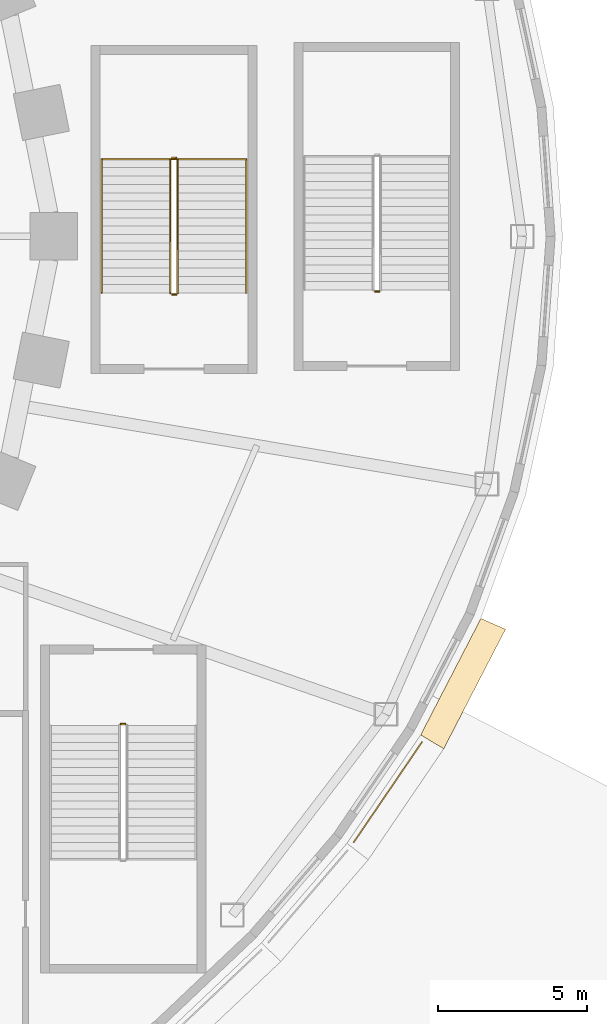
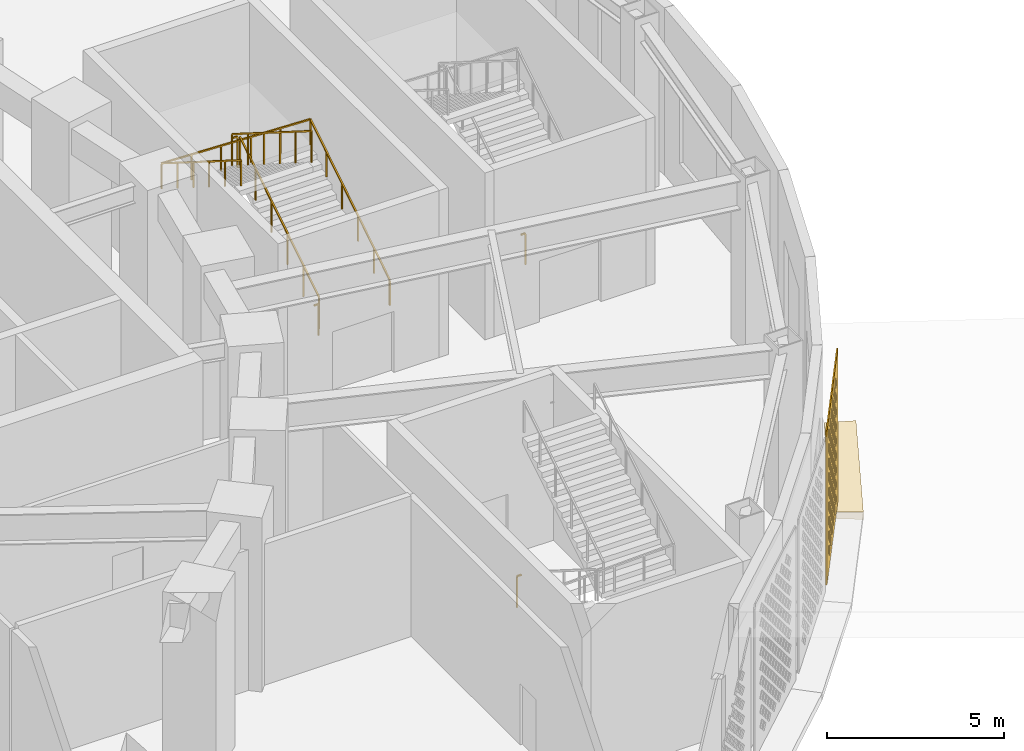
# One storey, part 71 of 74: 7 railings, 2 coverings.
"""IFC4 building model written with IfcOpenShell, lengths in metres."""

from ifc_helpers import new_model, si_unit, direction, frame, origin, origin_2d, place, context, subcontext, project, spatial, polyline, rectangle, outline, extrude, material, layer, layer_set, type_object, element, save


model = new_model("IFC4")

# Units and contexts
model_context = context("Model", 3, precision=1e-05, world=origin(), true_north=direction((0.0, 1.0)))
body_context = subcontext(model_context, "Body", "Model", "MODEL_VIEW")
ifc_project = project(units=[si_unit("LENGTHUNIT", "METRE"), si_unit("AREAUNIT", "SQUARE_METRE"), si_unit("VOLUMEUNIT", "CUBIC_METRE"), si_unit("PLANEANGLEUNIT", "RADIAN"), si_unit("MASSUNIT", "GRAM", prefix="KILO")], contexts=[model_context])

# Site, building, storey
site_placement = place(None, origin())
site = spatial("IfcSite", under=ifc_project, at=site_placement, CompositionType="ELEMENT")
building_placement = place(site_placement, origin())
building = spatial("IfcBuilding", under=site, at=building_placement, Name="Noorbagh Ring Tower", CompositionType="ELEMENT")
storey_placement = place(building_placement, frame((0.0, 0.0, 7.5)))
storey = spatial("IfcBuildingStorey", under=building, at=storey_placement, Name="L01", CompositionType="ELEMENT", Elevation=7.5)

# Railings
ifc_material_1 = material(Name="Stainless steel", Category="steel")
railing_type_1 = type_object("IfcRailingType", Name="GND-STAIR-GUARD", PredefinedType="GUARDRAIL", material=ifc_material_1)
railing_1_placement = place(storey_placement, frame((39.10009765625, -1.89990234375, 0.176513671875)))
element("IfcRailing", 1, at=railing_1_placement, inside=storey, type_object=railing_type_1, Name="L01 ST-P2 stair guard", PredefinedType="GUARDRAIL", context=body_context, shape_type="SweptSolid", body=[
    extrude(rectangle(XDim=0.048095703125, YDim=0.048095703125, at=origin_2d()), frame((0.0, 0.0, 1.076171875), z_axis=(0.0, 0.845997938375, 0.533186166611), x_axis=(-1.0, 0.0, 0.0)), (0.0, 0.0, 1.0), 5.29541015625),
    extrude(rectangle(XDim=0.0419921875, YDim=0.0419921875, at=origin_2d()), origin(), (0.0, 0.0, 1.0), 1.052001953125),
    extrude(rectangle(XDim=0.0419921875, YDim=0.0419921875, at=origin_2d()), frame((0.0, 0.89599609375, 0.564697265625)), (0.0, 0.0, 1.0), 1.052001953125),
    extrude(rectangle(XDim=0.0419921875, YDim=0.0419921875, at=origin_2d()), frame((0.0, 1.7919921875, 1.12939453125)), (0.0, 0.0, 1.0), 1.052001953125),
    extrude(rectangle(XDim=0.0419921875, YDim=0.0419921875, at=origin_2d()), frame((0.0, 2.68798828125, 1.694091796875)), (0.0, 0.0, 1.0), 1.052001953125),
    extrude(rectangle(XDim=0.0419921875, YDim=0.0419921875, at=origin_2d()), frame((0.0, 3.583984375, 2.2587890625)), (0.0, 0.0, 1.0), 1.052001953125),
    extrude(rectangle(XDim=0.0419921875, YDim=0.0419921875, at=origin_2d()), frame((0.0, 4.47998046875, 2.823486328125)), (0.0, 0.0, 1.0), 1.052001953125),
])
railing_2_placement = place(storey_placement, frame((39.050048828125, 2.6298828125, 3.0)))
element("IfcRailing", 2, at=railing_2_placement, inside=storey, type_object=railing_type_1, Name="L01 ST-P2 stair guard", PredefinedType="GUARDRAIL", context=body_context, shape_type="SweptSolid", body=[
    extrude(rectangle(XDim=0.048095703125, YDim=0.048095703125, at=origin_2d()), frame((0.0, 0.0, 1.076171875), z_axis=(-1.0, 0.0, 0.0), x_axis=(0.0, -1.0, 0.0)), (0.0, 0.0, 1.0), 0.150146484375),
    extrude(rectangle(XDim=0.0419921875, YDim=0.0419921875, at=origin_2d()), origin(), (0.0, 0.0, 1.0), 1.052001953125),
])
railing_3_placement = place(storey_placement, frame((38.85009765625, 2.580078125, 3.176513671875)))
element("IfcRailing", 3, at=railing_3_placement, inside=storey, type_object=railing_type_1, Name="L01 ST-P2 stair guard", PredefinedType="GUARDRAIL", context=body_context, shape_type="SweptSolid", body=[
    extrude(rectangle(XDim=0.048095703125, YDim=0.048095703125, at=origin_2d()), frame((0.0, 0.0, 1.076171875), z_axis=(0.0, -0.845997938375, 0.533186166611), x_axis=(1.0, 0.0, 0.0)), (0.0, 0.0, 1.0), 5.29541015625),
    extrude(rectangle(XDim=0.0419921875, YDim=0.0419921875, at=origin_2d()), origin(), (0.0, 0.0, 1.0), 1.052001953125),
    extrude(rectangle(XDim=0.0419921875, YDim=0.0419921875, at=origin_2d()), frame((0.0, -0.89599609375, 0.564697265625)), (0.0, 0.0, 1.0), 1.052001953125),
    extrude(rectangle(XDim=0.0419921875, YDim=0.0419921875, at=origin_2d()), frame((0.0, -1.7919921875, 1.12939453125)), (0.0, 0.0, 1.0), 1.052001953125),
    extrude(rectangle(XDim=0.0419921875, YDim=0.0419921875, at=origin_2d()), frame((0.0, -2.68798828125, 1.694091796875)), (0.0, 0.0, 1.0), 1.052001953125),
    extrude(rectangle(XDim=0.0419921875, YDim=0.0419921875, at=origin_2d()), frame((0.0, -3.583984375, 2.2587890625)), (0.0, 0.0, 1.0), 1.052001953125),
    extrude(rectangle(XDim=0.0419921875, YDim=0.0419921875, at=origin_2d()), frame((0.0, -4.47998046875, 2.823486328125)), (0.0, 0.0, 1.0), 1.052001953125),
])
for number, where, name in (
    (4, (39.050048828125, -1.949951171875, 0.0), "L01 ST-P2 stair guard"),
    (5, (45.85009765625, -1.85009765625, 0.0), "L01 ST-P4 stair guard"),
):
    element("IfcRailing", number, at=place(storey_placement, frame(where)), inside=storey, type_object=railing_type_1, Name=name, PredefinedType="GUARDRAIL", context=body_context, shape_type="SweptSolid", body=[
        extrude(rectangle(XDim=0.048095703125, YDim=0.048095703125, at=origin_2d()), frame((0.0, 0.0, 1.076171875), z_axis=(-1.0, 0.0, 0.0), x_axis=(0.0, -1.0, 0.0)), (0.0, 0.0, 1.0), 0.150146484375),
        extrude(rectangle(XDim=0.0419921875, YDim=0.0419921875, at=origin_2d()), origin(), (0.0, 0.0, 1.0), 1.052001953125),
    ])
railing_4_placement = place(storey_placement, frame((37.199951171875, -16.35009765625, 0.0)))
element("IfcRailing", 6, at=railing_4_placement, inside=storey, type_object=railing_type_1, Name="L01 ST-P6 stair guard", PredefinedType="GUARDRAIL", context=body_context, shape_type="SweptSolid", body=[
    extrude(rectangle(XDim=0.048095703125, YDim=0.048095703125, at=origin_2d()), frame((0.0, 0.0, 1.076171875), z_axis=(1.0, 0.0, 0.0), x_axis=(0.0, 1.0, 0.0)), (0.0, 0.0, 1.0), 0.150146484375),
    extrude(rectangle(XDim=0.0419921875, YDim=0.0419921875, at=origin_2d()), origin(), (0.0, 0.0, 1.0), 1.052001953125),
])
ifc_material_2 = material(Name="Stainless steel", Category="steel")
railing_type_2 = type_object("IfcRailingType", Name="GND-STAIR-HANDRAIL", PredefinedType="HANDRAIL", material=ifc_material_2)
railing_5_placement = place(storey_placement, frame((41.39990234375, -1.89990234375, 0.176513671875)))
element("IfcRailing", 7, at=railing_5_placement, inside=storey, type_object=railing_type_2, Name="L01 ST-P2 stair handrail", PredefinedType="HANDRAIL", context=body_context, shape_type="SweptSolid", body=[
    extrude(rectangle(XDim=0.048095703125, YDim=0.048095703125, at=origin_2d()), frame((0.0, 0.0, 0.8759765625), z_axis=(0.0, 0.845997938375, 0.533186166611), x_axis=(-1.0, 0.0, 0.0)), (0.0, 0.0, 1.0), 5.29541015625),
    extrude(rectangle(XDim=0.048095703125, YDim=0.048095703125, at=origin_2d()), frame((0.0, 4.47998046875, 3.69921875), z_axis=(-0.999338334855, 0.0, 0.036371589031), x_axis=(0.0, -1.0, 0.0)), (0.0, 0.0, 1.0), 4.85302734375),
    extrude(rectangle(XDim=0.048095703125, YDim=0.048095703125, at=origin_2d()), frame((-4.849853515625, 4.47998046875, 3.8759765625), z_axis=(0.0, -0.845997938375, 0.533186166611), x_axis=(1.0, 0.0, 0.0)), (0.0, 0.0, 1.0), 5.29541015625),
    extrude(rectangle(XDim=0.0419921875, YDim=0.0419921875, at=origin_2d()), origin(), (0.0, 0.0, 1.0), 0.851806640625),
    extrude(rectangle(XDim=0.0419921875, YDim=0.0419921875, at=origin_2d()), frame((0.0, 0.89599609375, 0.564697265625)), (0.0, 0.0, 1.0), 0.851806640625),
    extrude(rectangle(XDim=0.0419921875, YDim=0.0419921875, at=origin_2d()), frame((0.0, 1.7919921875, 1.12939453125)), (0.0, 0.0, 1.0), 0.851806640625),
    extrude(rectangle(XDim=0.0419921875, YDim=0.0419921875, at=origin_2d()), frame((0.0, 2.68798828125, 1.694091796875)), (0.0, 0.0, 1.0), 0.851806640625),
    extrude(rectangle(XDim=0.0419921875, YDim=0.0419921875, at=origin_2d()), frame((0.0, 3.583984375, 2.2587890625)), (0.0, 0.0, 1.0), 0.851806640625),
    extrude(rectangle(XDim=0.0419921875, YDim=0.0419921875, at=origin_2d()), frame((0.0, 4.47998046875, 2.823486328125)), (0.0, 0.0, 1.0), 0.851806640625),
    extrude(rectangle(XDim=0.0419921875, YDim=0.0419921875, at=origin_2d()), frame((-0.969970703125, 4.47998046875, 2.85888671875)), (0.0, 0.0, 1.0), 0.851806640625),
    extrude(rectangle(XDim=0.0419921875, YDim=0.0419921875, at=origin_2d()), frame((-1.93994140625, 4.47998046875, 2.89404296875)), (0.0, 0.0, 1.0), 0.851806640625),
    extrude(rectangle(XDim=0.0419921875, YDim=0.0419921875, at=origin_2d()), frame((-2.909912109375, 4.47998046875, 2.929443359375)), (0.0, 0.0, 1.0), 0.851806640625),
    extrude(rectangle(XDim=0.0419921875, YDim=0.0419921875, at=origin_2d()), frame((-3.8798828125, 4.47998046875, 2.964599609375)), (0.0, 0.0, 1.0), 0.851806640625),
    extrude(rectangle(XDim=0.0419921875, YDim=0.0419921875, at=origin_2d()), frame((-4.849853515625, 4.47998046875, 3.0)), (0.0, 0.0, 1.0), 0.851806640625),
    extrude(rectangle(XDim=0.0419921875, YDim=0.0419921875, at=origin_2d()), frame((-4.849853515625, 3.583984375, 3.564697265625)), (0.0, 0.0, 1.0), 0.851806640625),
    extrude(rectangle(XDim=0.0419921875, YDim=0.0419921875, at=origin_2d()), frame((-4.849853515625, 2.68798828125, 4.12939453125)), (0.0, 0.0, 1.0), 0.851806640625),
    extrude(rectangle(XDim=0.0419921875, YDim=0.0419921875, at=origin_2d()), frame((-4.849853515625, 1.7919921875, 4.694091796875)), (0.0, 0.0, 1.0), 0.851806640625),
    extrude(rectangle(XDim=0.0419921875, YDim=0.0419921875, at=origin_2d()), frame((-4.849853515625, 0.89599609375, 5.2587890625)), (0.0, 0.0, 1.0), 0.851806640625),
    extrude(rectangle(XDim=0.0419921875, YDim=0.0419921875, at=origin_2d()), frame((-4.849853515625, 0.0, 5.823486328125)), (0.0, 0.0, 1.0), 0.851806640625),
])

# Coverings
ifc_material_3 = material(Name="Red sandstone eave", Category="masonry")
covering_type_1 = type_object("IfcCoveringType", Name="STY-CHHAJJA", PredefinedType="USERDEFINED", material=ifc_material_3)
covering_1_placement = place(storey_placement, frame((0.0, 0.0, -0.25)))
element("IfcCovering", 8, at=covering_1_placement, inside=storey, type_object=covering_type_1, Name="Chhajja eave", ObjectType="CHHAJJA", PredefinedType="USERDEFINED", context=body_context, shape_type="SweptSolid", body=[
    extrude(outline(polyline([(47.2431640625, -16.71337890625), (49.26171875, -12.809326171875), (50.087646484375, -13.171142578125), (48.017578125, -17.175048828125), (47.2431640625, -16.71337890625)])), origin(), (0.0, 0.0, 1.0), 0.25),
])
ifc_material_4 = material(Name="Red sandstone jali", Category="masonry")
ifc_layer = layer(ifc_material_4, 0.0400390625)
ifc_layer_set = layer_set([ifc_layer], Name="Red sandstone jali")
covering_type_2 = type_object("IfcCoveringType", Name="STY-JALI", PredefinedType="USERDEFINED", material=ifc_layer_set)
covering_2_placement = place(storey_placement, frame((45.01123046875, -20.329833984375, 0.449951171875), z_axis=(0.826637007867, -0.562735512675, 0.0), x_axis=(0.562735512675, 0.826637007867, 0.0)))
element("IfcCovering", 9, at=covering_2_placement, inside=storey, type_object=covering_type_2, Name="Jali screen", ObjectType="SCREEN", PredefinedType="USERDEFINED", context=body_context, shape_type="SweptSolid", body=[
    extrude(outline(polyline([(0.0, 0.0), (4.095458984375, 0.0), (4.095458984375, 5.300048828125), (0.0, 5.300048828125), (0.0, 0.0)]), holes=[polyline([(0.74267578125, 0.52490234375), (0.922607421875, 0.344970703125), (1.102783203125, 0.52490234375), (0.922607421875, 0.705078125), (0.74267578125, 0.52490234375)]), polyline([(1.24267578125, 0.52490234375), (1.422607421875, 0.344970703125), (1.602783203125, 0.52490234375), (1.422607421875, 0.705078125), (1.24267578125, 0.52490234375)]), polyline([(1.74267578125, 0.52490234375), (1.922607421875, 0.344970703125), (2.102783203125, 0.52490234375), (1.922607421875, 0.705078125), (1.74267578125, 0.52490234375)]), polyline([(2.24267578125, 0.52490234375), (2.422607421875, 0.344970703125), (2.602783203125, 0.52490234375), (2.422607421875, 0.705078125), (2.24267578125, 0.52490234375)]), polyline([(2.74267578125, 0.52490234375), (2.922607421875, 0.344970703125), (3.102783203125, 0.52490234375), (2.922607421875, 0.705078125), (2.74267578125, 0.52490234375)]), polyline([(3.24267578125, 0.52490234375), (3.422607421875, 0.344970703125), (3.602783203125, 0.52490234375), (3.422607421875, 0.705078125), (3.24267578125, 0.52490234375)]), polyline([(0.49267578125, 0.77490234375), (0.672607421875, 0.594970703125), (0.852783203125, 0.77490234375), (0.672607421875, 0.955078125), (0.49267578125, 0.77490234375)]), polyline([(0.99267578125, 0.77490234375), (1.172607421875, 0.594970703125), (1.352783203125, 0.77490234375), (1.172607421875, 0.955078125), (0.99267578125, 0.77490234375)]), polyline([(1.49267578125, 0.77490234375), (1.672607421875, 0.594970703125), (1.852783203125, 0.77490234375), (1.672607421875, 0.955078125), (1.49267578125, 0.77490234375)]), polyline([(1.99267578125, 0.77490234375), (2.172607421875, 0.594970703125), (2.352783203125, 0.77490234375), (2.172607421875, 0.955078125), (1.99267578125, 0.77490234375)]), polyline([(2.49267578125, 0.77490234375), (2.672607421875, 0.594970703125), (2.852783203125, 0.77490234375), (2.672607421875, 0.955078125), (2.49267578125, 0.77490234375)]), polyline([(2.99267578125, 0.77490234375), (3.172607421875, 0.594970703125), (3.352783203125, 0.77490234375), (3.172607421875, 0.955078125), (2.99267578125, 0.77490234375)]), polyline([(0.74267578125, 1.02490234375), (0.922607421875, 0.844970703125), (1.102783203125, 1.02490234375), (0.922607421875, 1.205078125), (0.74267578125, 1.02490234375)]), polyline([(1.24267578125, 1.02490234375), (1.422607421875, 0.844970703125), (1.602783203125, 1.02490234375), (1.422607421875, 1.205078125), (1.24267578125, 1.02490234375)]), polyline([(1.74267578125, 1.02490234375), (1.922607421875, 0.844970703125), (2.102783203125, 1.02490234375), (1.922607421875, 1.205078125), (1.74267578125, 1.02490234375)]), polyline([(2.24267578125, 1.02490234375), (2.422607421875, 0.844970703125), (2.602783203125, 1.02490234375), (2.422607421875, 1.205078125), (2.24267578125, 1.02490234375)]), polyline([(2.74267578125, 1.02490234375), (2.922607421875, 0.844970703125), (3.102783203125, 1.02490234375), (2.922607421875, 1.205078125), (2.74267578125, 1.02490234375)]), polyline([(3.24267578125, 1.02490234375), (3.422607421875, 0.844970703125), (3.602783203125, 1.02490234375), (3.422607421875, 1.205078125), (3.24267578125, 1.02490234375)]), polyline([(0.49267578125, 1.27490234375), (0.672607421875, 1.094970703125), (0.852783203125, 1.27490234375), (0.672607421875, 1.455078125), (0.49267578125, 1.27490234375)]), polyline([(0.99267578125, 1.27490234375), (1.172607421875, 1.094970703125), (1.352783203125, 1.27490234375), (1.172607421875, 1.455078125), (0.99267578125, 1.27490234375)]), polyline([(1.49267578125, 1.27490234375), (1.672607421875, 1.094970703125), (1.852783203125, 1.27490234375), (1.672607421875, 1.455078125), (1.49267578125, 1.27490234375)]), polyline([(1.99267578125, 1.27490234375), (2.172607421875, 1.094970703125), (2.352783203125, 1.27490234375), (2.172607421875, 1.455078125), (1.99267578125, 1.27490234375)]), polyline([(2.49267578125, 1.27490234375), (2.672607421875, 1.094970703125), (2.852783203125, 1.27490234375), (2.672607421875, 1.455078125), (2.49267578125, 1.27490234375)]), polyline([(2.99267578125, 1.27490234375), (3.172607421875, 1.094970703125), (3.352783203125, 1.27490234375), (3.172607421875, 1.455078125), (2.99267578125, 1.27490234375)]), polyline([(0.74267578125, 1.52490234375), (0.922607421875, 1.344970703125), (1.102783203125, 1.52490234375), (0.922607421875, 1.705078125), (0.74267578125, 1.52490234375)]), polyline([(1.24267578125, 1.52490234375), (1.422607421875, 1.344970703125), (1.602783203125, 1.52490234375), (1.422607421875, 1.705078125), (1.24267578125, 1.52490234375)]), polyline([(1.74267578125, 1.52490234375), (1.922607421875, 1.344970703125), (2.102783203125, 1.52490234375), (1.922607421875, 1.705078125), (1.74267578125, 1.52490234375)]), polyline([(2.24267578125, 1.52490234375), (2.422607421875, 1.344970703125), (2.602783203125, 1.52490234375), (2.422607421875, 1.705078125), (2.24267578125, 1.52490234375)]), polyline([(2.74267578125, 1.52490234375), (2.922607421875, 1.344970703125), (3.102783203125, 1.52490234375), (2.922607421875, 1.705078125), (2.74267578125, 1.52490234375)]), polyline([(3.24267578125, 1.52490234375), (3.422607421875, 1.344970703125), (3.602783203125, 1.52490234375), (3.422607421875, 1.705078125), (3.24267578125, 1.52490234375)]), polyline([(0.49267578125, 1.77490234375), (0.672607421875, 1.594970703125), (0.852783203125, 1.77490234375), (0.672607421875, 1.955078125), (0.49267578125, 1.77490234375)]), polyline([(0.99267578125, 1.77490234375), (1.172607421875, 1.594970703125), (1.352783203125, 1.77490234375), (1.172607421875, 1.955078125), (0.99267578125, 1.77490234375)]), polyline([(1.49267578125, 1.77490234375), (1.672607421875, 1.594970703125), (1.852783203125, 1.77490234375), (1.672607421875, 1.955078125), (1.49267578125, 1.77490234375)]), polyline([(1.99267578125, 1.77490234375), (2.172607421875, 1.594970703125), (2.352783203125, 1.77490234375), (2.172607421875, 1.955078125), (1.99267578125, 1.77490234375)]), polyline([(2.49267578125, 1.77490234375), (2.672607421875, 1.594970703125), (2.852783203125, 1.77490234375), (2.672607421875, 1.955078125), (2.49267578125, 1.77490234375)]), polyline([(2.99267578125, 1.77490234375), (3.172607421875, 1.594970703125), (3.352783203125, 1.77490234375), (3.172607421875, 1.955078125), (2.99267578125, 1.77490234375)]), polyline([(0.74267578125, 2.02490234375), (0.922607421875, 1.844970703125), (1.102783203125, 2.02490234375), (0.922607421875, 2.205078125), (0.74267578125, 2.02490234375)]), polyline([(1.24267578125, 2.02490234375), (1.422607421875, 1.844970703125), (1.602783203125, 2.02490234375), (1.422607421875, 2.205078125), (1.24267578125, 2.02490234375)]), polyline([(1.74267578125, 2.02490234375), (1.922607421875, 1.844970703125), (2.102783203125, 2.02490234375), (1.922607421875, 2.205078125), (1.74267578125, 2.02490234375)]), polyline([(2.24267578125, 2.02490234375), (2.422607421875, 1.844970703125), (2.602783203125, 2.02490234375), (2.422607421875, 2.205078125), (2.24267578125, 2.02490234375)]), polyline([(2.74267578125, 2.02490234375), (2.922607421875, 1.844970703125), (3.102783203125, 2.02490234375), (2.922607421875, 2.205078125), (2.74267578125, 2.02490234375)]), polyline([(3.24267578125, 2.02490234375), (3.422607421875, 1.844970703125), (3.602783203125, 2.02490234375), (3.422607421875, 2.205078125), (3.24267578125, 2.02490234375)]), polyline([(0.49267578125, 2.27490234375), (0.672607421875, 2.094970703125), (0.852783203125, 2.27490234375), (0.672607421875, 2.455078125), (0.49267578125, 2.27490234375)]), polyline([(0.99267578125, 2.27490234375), (1.172607421875, 2.094970703125), (1.352783203125, 2.27490234375), (1.172607421875, 2.455078125), (0.99267578125, 2.27490234375)]), polyline([(1.49267578125, 2.27490234375), (1.672607421875, 2.094970703125), (1.852783203125, 2.27490234375), (1.672607421875, 2.455078125), (1.49267578125, 2.27490234375)]), polyline([(1.99267578125, 2.27490234375), (2.172607421875, 2.094970703125), (2.352783203125, 2.27490234375), (2.172607421875, 2.455078125), (1.99267578125, 2.27490234375)]), polyline([(2.49267578125, 2.27490234375), (2.672607421875, 2.094970703125), (2.852783203125, 2.27490234375), (2.672607421875, 2.455078125), (2.49267578125, 2.27490234375)]), polyline([(2.99267578125, 2.27490234375), (3.172607421875, 2.094970703125), (3.352783203125, 2.27490234375), (3.172607421875, 2.455078125), (2.99267578125, 2.27490234375)]), polyline([(0.74267578125, 2.52490234375), (0.922607421875, 2.344970703125), (1.102783203125, 2.52490234375), (0.922607421875, 2.705078125), (0.74267578125, 2.52490234375)]), polyline([(1.24267578125, 2.52490234375), (1.422607421875, 2.344970703125), (1.602783203125, 2.52490234375), (1.422607421875, 2.705078125), (1.24267578125, 2.52490234375)]), polyline([(1.74267578125, 2.52490234375), (1.922607421875, 2.344970703125), (2.102783203125, 2.52490234375), (1.922607421875, 2.705078125), (1.74267578125, 2.52490234375)]), polyline([(2.24267578125, 2.52490234375), (2.422607421875, 2.344970703125), (2.602783203125, 2.52490234375), (2.422607421875, 2.705078125), (2.24267578125, 2.52490234375)]), polyline([(2.74267578125, 2.52490234375), (2.922607421875, 2.344970703125), (3.102783203125, 2.52490234375), (2.922607421875, 2.705078125), (2.74267578125, 2.52490234375)]), polyline([(3.24267578125, 2.52490234375), (3.422607421875, 2.344970703125), (3.602783203125, 2.52490234375), (3.422607421875, 2.705078125), (3.24267578125, 2.52490234375)]), polyline([(0.49267578125, 2.77490234375), (0.672607421875, 2.594970703125), (0.852783203125, 2.77490234375), (0.672607421875, 2.955078125), (0.49267578125, 2.77490234375)]), polyline([(0.99267578125, 2.77490234375), (1.172607421875, 2.594970703125), (1.352783203125, 2.77490234375), (1.172607421875, 2.955078125), (0.99267578125, 2.77490234375)]), polyline([(1.49267578125, 2.77490234375), (1.672607421875, 2.594970703125), (1.852783203125, 2.77490234375), (1.672607421875, 2.955078125), (1.49267578125, 2.77490234375)]), polyline([(1.99267578125, 2.77490234375), (2.172607421875, 2.594970703125), (2.352783203125, 2.77490234375), (2.172607421875, 2.955078125), (1.99267578125, 2.77490234375)]), polyline([(2.49267578125, 2.77490234375), (2.672607421875, 2.594970703125), (2.852783203125, 2.77490234375), (2.672607421875, 2.955078125), (2.49267578125, 2.77490234375)]), polyline([(2.99267578125, 2.77490234375), (3.172607421875, 2.594970703125), (3.352783203125, 2.77490234375), (3.172607421875, 2.955078125), (2.99267578125, 2.77490234375)]), polyline([(0.74267578125, 3.02490234375), (0.922607421875, 2.844970703125), (1.102783203125, 3.02490234375), (0.922607421875, 3.205078125), (0.74267578125, 3.02490234375)]), polyline([(1.24267578125, 3.02490234375), (1.422607421875, 2.844970703125), (1.602783203125, 3.02490234375), (1.422607421875, 3.205078125), (1.24267578125, 3.02490234375)]), polyline([(1.74267578125, 3.02490234375), (1.922607421875, 2.844970703125), (2.102783203125, 3.02490234375), (1.922607421875, 3.205078125), (1.74267578125, 3.02490234375)]), polyline([(2.24267578125, 3.02490234375), (2.422607421875, 2.844970703125), (2.602783203125, 3.02490234375), (2.422607421875, 3.205078125), (2.24267578125, 3.02490234375)]), polyline([(2.74267578125, 3.02490234375), (2.922607421875, 2.844970703125), (3.102783203125, 3.02490234375), (2.922607421875, 3.205078125), (2.74267578125, 3.02490234375)]), polyline([(3.24267578125, 3.02490234375), (3.422607421875, 2.844970703125), (3.602783203125, 3.02490234375), (3.422607421875, 3.205078125), (3.24267578125, 3.02490234375)]), polyline([(0.49267578125, 3.27490234375), (0.672607421875, 3.094970703125), (0.852783203125, 3.27490234375), (0.672607421875, 3.455078125), (0.49267578125, 3.27490234375)]), polyline([(0.99267578125, 3.27490234375), (1.172607421875, 3.094970703125), (1.352783203125, 3.27490234375), (1.172607421875, 3.455078125), (0.99267578125, 3.27490234375)]), polyline([(1.49267578125, 3.27490234375), (1.672607421875, 3.094970703125), (1.852783203125, 3.27490234375), (1.672607421875, 3.455078125), (1.49267578125, 3.27490234375)]), polyline([(1.99267578125, 3.27490234375), (2.172607421875, 3.094970703125), (2.352783203125, 3.27490234375), (2.172607421875, 3.455078125), (1.99267578125, 3.27490234375)]), polyline([(2.49267578125, 3.27490234375), (2.672607421875, 3.094970703125), (2.852783203125, 3.27490234375), (2.672607421875, 3.455078125), (2.49267578125, 3.27490234375)]), polyline([(2.99267578125, 3.27490234375), (3.172607421875, 3.094970703125), (3.352783203125, 3.27490234375), (3.172607421875, 3.455078125), (2.99267578125, 3.27490234375)]), polyline([(0.74267578125, 3.52490234375), (0.922607421875, 3.344970703125), (1.102783203125, 3.52490234375), (0.922607421875, 3.705078125), (0.74267578125, 3.52490234375)]), polyline([(1.24267578125, 3.52490234375), (1.422607421875, 3.344970703125), (1.602783203125, 3.52490234375), (1.422607421875, 3.705078125), (1.24267578125, 3.52490234375)]), polyline([(1.74267578125, 3.52490234375), (1.922607421875, 3.344970703125), (2.102783203125, 3.52490234375), (1.922607421875, 3.705078125), (1.74267578125, 3.52490234375)]), polyline([(2.24267578125, 3.52490234375), (2.422607421875, 3.344970703125), (2.602783203125, 3.52490234375), (2.422607421875, 3.705078125), (2.24267578125, 3.52490234375)]), polyline([(2.74267578125, 3.52490234375), (2.922607421875, 3.344970703125), (3.102783203125, 3.52490234375), (2.922607421875, 3.705078125), (2.74267578125, 3.52490234375)]), polyline([(3.24267578125, 3.52490234375), (3.422607421875, 3.344970703125), (3.602783203125, 3.52490234375), (3.422607421875, 3.705078125), (3.24267578125, 3.52490234375)]), polyline([(0.49267578125, 3.77490234375), (0.672607421875, 3.594970703125), (0.852783203125, 3.77490234375), (0.672607421875, 3.955078125), (0.49267578125, 3.77490234375)]), polyline([(0.99267578125, 3.77490234375), (1.172607421875, 3.594970703125), (1.352783203125, 3.77490234375), (1.172607421875, 3.955078125), (0.99267578125, 3.77490234375)]), polyline([(1.49267578125, 3.77490234375), (1.672607421875, 3.594970703125), (1.852783203125, 3.77490234375), (1.672607421875, 3.955078125), (1.49267578125, 3.77490234375)]), polyline([(1.99267578125, 3.77490234375), (2.172607421875, 3.594970703125), (2.352783203125, 3.77490234375), (2.172607421875, 3.955078125), (1.99267578125, 3.77490234375)]), polyline([(2.49267578125, 3.77490234375), (2.672607421875, 3.594970703125), (2.852783203125, 3.77490234375), (2.672607421875, 3.955078125), (2.49267578125, 3.77490234375)]), polyline([(2.99267578125, 3.77490234375), (3.172607421875, 3.594970703125), (3.352783203125, 3.77490234375), (3.172607421875, 3.955078125), (2.99267578125, 3.77490234375)]), polyline([(0.74267578125, 4.02490234375), (0.922607421875, 3.844970703125), (1.102783203125, 4.02490234375), (0.922607421875, 4.205078125), (0.74267578125, 4.02490234375)]), polyline([(1.24267578125, 4.02490234375), (1.422607421875, 3.844970703125), (1.602783203125, 4.02490234375), (1.422607421875, 4.205078125), (1.24267578125, 4.02490234375)]), polyline([(1.74267578125, 4.02490234375), (1.922607421875, 3.844970703125), (2.102783203125, 4.02490234375), (1.922607421875, 4.205078125), (1.74267578125, 4.02490234375)]), polyline([(2.24267578125, 4.02490234375), (2.422607421875, 3.844970703125), (2.602783203125, 4.02490234375), (2.422607421875, 4.205078125), (2.24267578125, 4.02490234375)]), polyline([(2.74267578125, 4.02490234375), (2.922607421875, 3.844970703125), (3.102783203125, 4.02490234375), (2.922607421875, 4.205078125), (2.74267578125, 4.02490234375)]), polyline([(3.24267578125, 4.02490234375), (3.422607421875, 3.844970703125), (3.602783203125, 4.02490234375), (3.422607421875, 4.205078125), (3.24267578125, 4.02490234375)]), polyline([(0.49267578125, 4.27490234375), (0.672607421875, 4.094970703125), (0.852783203125, 4.27490234375), (0.672607421875, 4.455078125), (0.49267578125, 4.27490234375)]), polyline([(0.99267578125, 4.27490234375), (1.172607421875, 4.094970703125), (1.352783203125, 4.27490234375), (1.172607421875, 4.455078125), (0.99267578125, 4.27490234375)]), polyline([(1.49267578125, 4.27490234375), (1.672607421875, 4.094970703125), (1.852783203125, 4.27490234375), (1.672607421875, 4.455078125), (1.49267578125, 4.27490234375)]), polyline([(1.99267578125, 4.27490234375), (2.172607421875, 4.094970703125), (2.352783203125, 4.27490234375), (2.172607421875, 4.455078125), (1.99267578125, 4.27490234375)]), polyline([(2.49267578125, 4.27490234375), (2.672607421875, 4.094970703125), (2.852783203125, 4.27490234375), (2.672607421875, 4.455078125), (2.49267578125, 4.27490234375)]), polyline([(2.99267578125, 4.27490234375), (3.172607421875, 4.094970703125), (3.352783203125, 4.27490234375), (3.172607421875, 4.455078125), (2.99267578125, 4.27490234375)]), polyline([(0.74267578125, 4.52490234375), (0.922607421875, 4.344970703125), (1.102783203125, 4.52490234375), (0.922607421875, 4.705078125), (0.74267578125, 4.52490234375)]), polyline([(1.24267578125, 4.52490234375), (1.422607421875, 4.344970703125), (1.602783203125, 4.52490234375), (1.422607421875, 4.705078125), (1.24267578125, 4.52490234375)]), polyline([(1.74267578125, 4.52490234375), (1.922607421875, 4.344970703125), (2.102783203125, 4.52490234375), (1.922607421875, 4.705078125), (1.74267578125, 4.52490234375)]), polyline([(2.24267578125, 4.52490234375), (2.422607421875, 4.344970703125), (2.602783203125, 4.52490234375), (2.422607421875, 4.705078125), (2.24267578125, 4.52490234375)]), polyline([(2.74267578125, 4.52490234375), (2.922607421875, 4.344970703125), (3.102783203125, 4.52490234375), (2.922607421875, 4.705078125), (2.74267578125, 4.52490234375)]), polyline([(3.24267578125, 4.52490234375), (3.422607421875, 4.344970703125), (3.602783203125, 4.52490234375), (3.422607421875, 4.705078125), (3.24267578125, 4.52490234375)]), polyline([(0.49267578125, 4.77490234375), (0.672607421875, 4.594970703125), (0.852783203125, 4.77490234375), (0.672607421875, 4.955078125), (0.49267578125, 4.77490234375)]), polyline([(0.99267578125, 4.77490234375), (1.172607421875, 4.594970703125), (1.352783203125, 4.77490234375), (1.172607421875, 4.955078125), (0.99267578125, 4.77490234375)]), polyline([(1.49267578125, 4.77490234375), (1.672607421875, 4.594970703125), (1.852783203125, 4.77490234375), (1.672607421875, 4.955078125), (1.49267578125, 4.77490234375)]), polyline([(1.99267578125, 4.77490234375), (2.172607421875, 4.594970703125), (2.352783203125, 4.77490234375), (2.172607421875, 4.955078125), (1.99267578125, 4.77490234375)]), polyline([(2.49267578125, 4.77490234375), (2.672607421875, 4.594970703125), (2.852783203125, 4.77490234375), (2.672607421875, 4.955078125), (2.49267578125, 4.77490234375)]), polyline([(2.99267578125, 4.77490234375), (3.172607421875, 4.594970703125), (3.352783203125, 4.77490234375), (3.172607421875, 4.955078125), (2.99267578125, 4.77490234375)])]), origin(), (0.0, 0.0, -1.0), 0.0400390625),
])

save(model, "model.ifc")
